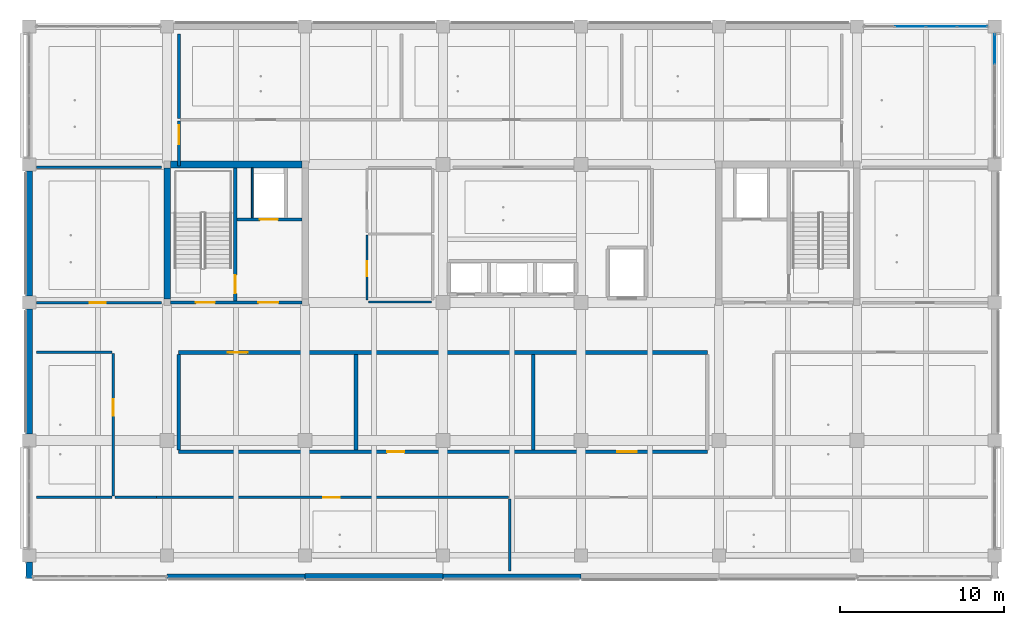
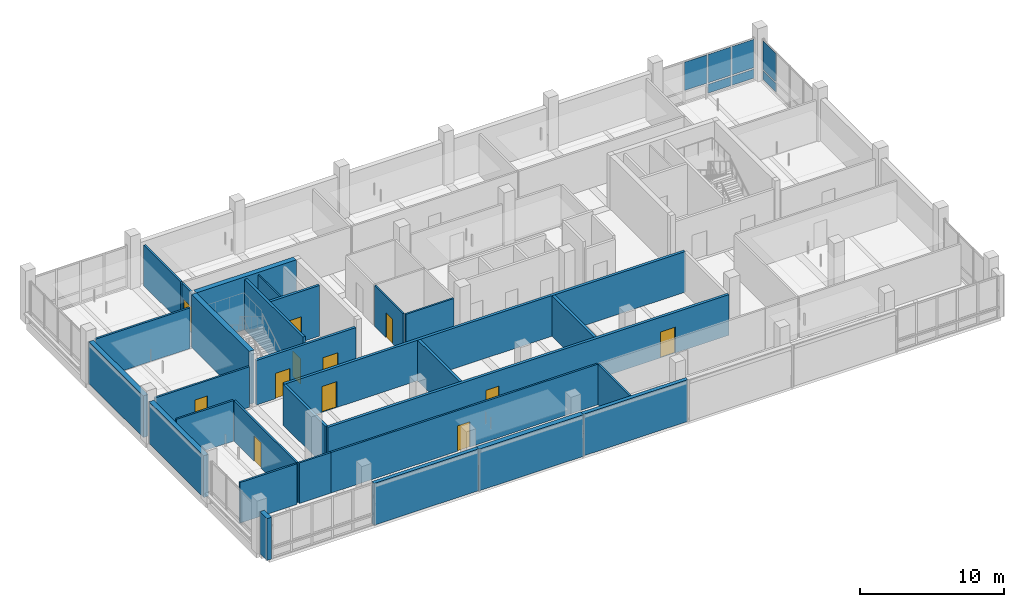
# One storey, part 11 of 35: 29 walls, 12 doors, 7 plates, 12 openings, 2 elements without a shape of their own.
"""IFC4 building model written with IfcOpenShell, lengths in metres."""

from ifc_helpers import new_model, si_unit, direction, frame, frame_2d, origin, origin_2d, place, context, subcontext, project, spatial, rectangle, extrude, material, layer, layer_set, type_object, element, fill, aggregate, save


model = new_model("IFC4")

# Units and contexts
model_context = context("Model", 3, precision=1e-05, world=origin(), true_north=direction((0.0, 1.0)))
body_context = subcontext(model_context, "Body", "Model", "MODEL_VIEW")
ifc_project = project(units=[si_unit("LENGTHUNIT", "METRE"), si_unit("AREAUNIT", "SQUARE_METRE"), si_unit("VOLUMEUNIT", "CUBIC_METRE"), si_unit("PLANEANGLEUNIT", "RADIAN"), si_unit("MASSUNIT", "GRAM", prefix="KILO")], contexts=[model_context])

# Site, building, storey
site_placement = place(None, origin())
site = spatial("IfcSite", under=ifc_project, at=site_placement, CompositionType="ELEMENT")
building_placement = place(site_placement, origin())
building = spatial("IfcBuilding", under=site, at=building_placement, Name="Telukmera Botanical Conservatory", CompositionType="ELEMENT")
storey_placement = place(building_placement, frame((0.0, 0.0, 28.5)))
storey = spatial("IfcBuildingStorey", under=building, at=storey_placement, Name="L06", CompositionType="ELEMENT", Elevation=28.5)

# Curtain wall, plates
ifc_material_1 = material(Name="Anodised aluminium 6063-T6", Category="aluminium")
ifc_layer_1 = layer(ifc_material_1, 0.179931640625)
ifc_layer_set_1 = layer_set([ifc_layer_1], Name="Anodised aluminium 6063-T6")
curtain_wall_type = type_object("IfcCurtainWallType", Name="Tower Herbarium Curation Corner Curtain Wall", PredefinedType="USERDEFINED", material=ifc_layer_set_1)
curtain_wall_1_placement = place(storey_placement, origin())
curtain_wall_1 = element("IfcCurtainWall", 1, at=curtain_wall_1_placement, inside=storey, type_object=curtain_wall_type, Name="Unitised Curtain Wall CW14 V4:L06:N7", ObjectType="UNITISED CURTAIN WALL", PredefinedType="USERDEFINED")
ifc_material_2 = material(Name="Spectrally selective low-E double glazing", Category="glass")
ifc_layer_2 = layer(ifc_material_2, 0.0380859375)
ifc_layer_set_2 = layer_set([ifc_layer_2], Name="Spectrally selective low-E double glazing")
plate_type = type_object("IfcPlateType", Name="Solar Control Fritted Spandrel Glazing Panel 38", PredefinedType="CURTAIN_PANEL", material=ifc_layer_set_2)
plate_1_placement = place(storey_placement, frame((104.050537109375, 42.800048828125, 1.01513671875), z_axis=(0.0, 0.0, 1.0), x_axis=(1.0, 0.0, 0.0)))
plate_1 = element("IfcPlate", 2, at=plate_1_placement, type_object=plate_type, Name="CW14 panel 2.2", PredefinedType="CURTAIN_PANEL", context=body_context, shape_type="SweptSolid", body=[
    extrude(rectangle(XDim=1.833984375, YDim=0.0380859375, at=origin_2d()), origin(), (0.0, 0.0, 1.0), 2.405029296875),
])
plate_2_placement = place(storey_placement, frame((105.949462890625, 42.800048828125, 0.130126953125), z_axis=(0.0, 0.0, 1.0), x_axis=(1.0, 0.0, 0.0)))
plate_2 = element("IfcPlate", 3, at=plate_2_placement, type_object=plate_type, Name="CW14 panel 3.1", PredefinedType="CURTAIN_PANEL", context=body_context, shape_type="SweptSolid", body=[
    extrude(rectangle(XDim=1.833984375, YDim=0.0380859375, at=origin_2d()), origin(), (0.0, 0.0, 1.0), 0.7548828125),
])
plate_3_placement = place(storey_placement, frame((105.949462890625, 42.800048828125, 1.01513671875), z_axis=(0.0, 0.0, 1.0), x_axis=(1.0, 0.0, 0.0)))
plate_3 = element("IfcPlate", 4, at=plate_3_placement, type_object=plate_type, Name="CW14 panel 3.2", PredefinedType="CURTAIN_PANEL", context=body_context, shape_type="SweptSolid", body=[
    extrude(rectangle(XDim=1.833984375, YDim=0.0380859375, at=origin_2d()), origin(), (0.0, 0.0, 1.0), 2.405029296875),
])
plate_4_placement = place(storey_placement, frame((107.832275390625, 42.800048828125, 0.130126953125), z_axis=(0.0, 0.0, 1.0), x_axis=(1.0, 0.0, 0.0)))
plate_4 = element("IfcPlate", 5, at=plate_4_placement, type_object=plate_type, Name="CW14 panel 4.1", PredefinedType="CURTAIN_PANEL", context=body_context, shape_type="SweptSolid", body=[
    extrude(rectangle(XDim=1.801513671875, YDim=0.0380859375, at=origin_2d()), origin(), (0.0, 0.0, 1.0), 0.7548828125),
])
plate_5_placement = place(storey_placement, frame((107.832275390625, 42.800048828125, 1.01513671875), z_axis=(0.0, 0.0, 1.0), x_axis=(1.0, 0.0, 0.0)))
plate_5 = element("IfcPlate", 6, at=plate_5_placement, type_object=plate_type, Name="CW14 panel 4.2", PredefinedType="CURTAIN_PANEL", context=body_context, shape_type="SweptSolid", body=[
    extrude(rectangle(XDim=1.801513671875, YDim=0.0380859375, at=origin_2d()), origin(), (0.0, 0.0, 1.0), 2.405029296875),
])
aggregate(curtain_wall_1, [plate_1, plate_2, plate_3, plate_4, plate_5])

curtain_wall_2_placement = place(storey_placement, origin())
curtain_wall_2 = element("IfcCurtainWall", 7, at=curtain_wall_2_placement, inside=storey, type_object=curtain_wall_type, Name="Unitised Curtain Wall CW14 V4:L06:E4", ObjectType="UNITISED CURTAIN WALL", PredefinedType="USERDEFINED")
plate_6_placement = place(storey_placement, frame((109.199951171875, 41.43212890625, 0.130126953125), z_axis=(0.0, 0.0, 1.0), x_axis=(0.0, 1.0, 0.0)))
plate_6 = element("IfcPlate", 8, at=plate_6_placement, type_object=plate_type, Name="CW14 panel 4.1", PredefinedType="CURTAIN_PANEL", context=body_context, shape_type="SweptSolid", body=[
    extrude(rectangle(XDim=1.801513671875, YDim=0.0380859375, at=origin_2d()), origin(), (0.0, 0.0, 1.0), 0.7548828125),
])
plate_7_placement = place(storey_placement, frame((109.199951171875, 41.43212890625, 1.01513671875), z_axis=(0.0, 0.0, 1.0), x_axis=(0.0, 1.0, 0.0)))
plate_7 = element("IfcPlate", 9, at=plate_7_placement, type_object=plate_type, Name="CW14 panel 4.2", PredefinedType="CURTAIN_PANEL", context=body_context, shape_type="SweptSolid", body=[
    extrude(rectangle(XDim=1.801513671875, YDim=0.0380859375, at=origin_2d()), origin(), (0.0, 0.0, 1.0), 2.405029296875),
])
aggregate(curtain_wall_2, [plate_6, plate_7])

# Walls
ifc_material_3 = material(Name="Terracotta-faced precast concrete C40/50", Category="masonry")
ifc_layer_3 = layer(ifc_material_3, 0.3798828125)
ifc_layer_set_3 = layer_set([ifc_layer_3], Name="Terracotta-faced precast concrete C40/50")
wall_type_1 = type_object("IfcWallType", Name="Exterior Herbarium Vault Insulated Precast Wall 380", PredefinedType="SOLIDWALL", material=ifc_layer_set_3)
wall_1_placement = place(storey_placement, frame((50.39990234375, 9.199951171875, 0.0), z_axis=(0.0, 0.0, 1.0), x_axis=(0.0, 1.0, 0.0)))
element("IfcWall", 10, at=wall_1_placement, inside=storey, type_object=wall_type_1, Name="Exterior Precast Wall EW04 V4:L06:SWC", PredefinedType="SOLIDWALL", context=body_context, shape_type="SweptSolid", body=[
    extrude(rectangle(XDim=0.998046875, YDim=0.3798828125, at=frame_2d((0.4990234375, 0.0))), origin(), (0.0, 0.0, 1.0), 3.550048828125),
])
wall_2_placement = place(storey_placement, frame((67.201904296875, 9.320068359375, 0.0), z_axis=(0.0, 0.0, 1.0), x_axis=(1.0, 0.0, 0.0)))
element("IfcWall", 11, at=wall_2_placement, inside=storey, type_object=wall_type_1, Name="Exterior Precast Wall EW04 V4:L06:S3", PredefinedType="SOLIDWALL", context=body_context, shape_type="SweptSolid", body=[
    extrude(rectangle(XDim=8.39599609375, YDim=0.3798828125, at=frame_2d((4.197998046875, 0.0))), origin(), (0.0, 0.0, 1.0), 3.550048828125),
])
for number, where, z_axis, x_axis, name in (
    (12, (50.39990234375, 18.001953125, 0.0), (0.0, 0.0, 1.0), (0.0, 1.0, 0.0), "Exterior Precast Wall EW04 V4:L06:W2"),
    (13, (50.39990234375, 26.402099609375, 0.0), (0.0, 0.0, 1.0), (0.0, 1.0, 0.0), "Exterior Precast Wall EW04 V4:L06:W3"),
):
    element("IfcWall", number, at=place(storey_placement, frame(where, z_axis=z_axis, x_axis=x_axis)), inside=storey, type_object=wall_type_1, Name=name, PredefinedType="SOLIDWALL", context=body_context, shape_type="SweptSolid", body=[
        extrude(rectangle(XDim=7.595947265625, YDim=0.3798828125, at=frame_2d((3.7978515625, 0.0))), origin(), (0.0, 0.0, 1.0), 3.550048828125),
    ])
ifc_layer_4 = layer(ifc_material_3, 0.300048828125)
ifc_layer_set_4 = layer_set([ifc_layer_4], Name="Terracotta-faced precast concrete C40/50")
wall_type_2 = type_object("IfcWallType", Name="Exterior Polychrome Terracotta Precast Wall 300", PredefinedType="SOLIDWALL", material=ifc_layer_set_4)
for number, where, z_axis, x_axis, name in (
    (14, (58.802001953125, 9.320068359375, 0.0), (0.0, 0.0, 1.0), (1.0, 0.0, 0.0), "Exterior Precast Wall EW02 V4:L06:S2"),
    (15, (75.60205078125, 9.320068359375, 0.0), (0.0, 0.0, 1.0), (1.0, 0.0, 0.0), "Exterior Precast Wall EW02 V4:L06:S4"),
):
    element("IfcWall", number, at=place(storey_placement, frame(where, z_axis=z_axis, x_axis=x_axis)), inside=storey, type_object=wall_type_2, Name=name, PredefinedType="SOLIDWALL", context=body_context, shape_type="SweptSolid", body=[
        extrude(rectangle(XDim=8.39599609375, YDim=0.300048828125, at=frame_2d((4.197998046875, 0.0))), origin(), (0.0, 0.0, 1.0), 3.550048828125),
    ])

# Wall, openings, doors
ifc_material_4 = material(Name="Concrete C40/50", Category="concrete")
ifc_layer_5 = layer(ifc_material_4, 0.199951171875)
ifc_layer_set_5 = layer_set([ifc_layer_5], Name="Concrete C40/50")
wall_type_3 = type_object("IfcWallType", Name="WT-CORE-200", PredefinedType="SOLIDWALL", material=ifc_layer_set_5)
wall_3_placement = place(storey_placement, frame((59.0, 26.0, 0.0), z_axis=(0.0, 0.0, 1.0), x_axis=(1.0, 0.0, 0.0)))
wall_3 = element("IfcWall", 16, at=wall_3_placement, inside=storey, type_object=wall_type_3, Name="L06 Core C1 South Fire Wall", PredefinedType="SOLIDWALL", context=body_context, shape_type="SweptSolid", body=[
    extrude(rectangle(XDim=8.0, YDim=0.199951171875, at=frame_2d((4.0, 0.0))), origin(), (0.0, 0.0, 1.0), 3.780029296875),
])
opening_1_placement = place(wall_3_placement, frame((1.550048828125, 0.0, 0.0)))
opening_1 = element("IfcOpeningElement", 17, at=opening_1_placement, cuts=wall_3, Name="Opening FD60A", PredefinedType="OPENING", context=body_context, shape_type="SweptSolid", body=[
    extrude(rectangle(XDim=1.14990234375, YDim=2.14990234375, at=frame_2d((0.574951171875, 1.074951171875))), frame((0.0, 0.10986328125, 0.0), z_axis=(0.0, -1.0, 0.0), x_axis=(1.0, 0.0, 0.0)), (0.0, 0.0, 1.0), 0.219970703125),
])
opening_2_placement = place(wall_3_placement, frame((5.35009765625, 0.0, 0.0)))
opening_2 = element("IfcOpeningElement", 18, at=opening_2_placement, cuts=wall_3, Name="Opening FD60C", PredefinedType="OPENING", context=body_context, shape_type="SweptSolid", body=[
    extrude(rectangle(XDim=1.219970703125, YDim=2.14990234375, at=frame_2d((0.60986328125, 1.074951171875))), frame((0.0, 0.10986328125, 0.0), z_axis=(0.0, -1.0, 0.0), x_axis=(1.0, 0.0, 0.0)), (0.0, 0.0, 1.0), 0.219970703125),
])
ifc_material_5 = material(Name="Hardwood fire door", Category="wood")
door_type_1 = type_object("IfcDoorType", Name="DT-FD60-01", OperationType="NOTDEFINED", PredefinedType="DOOR", material=ifc_material_5)
door_1_placement = place(opening_1_placement, origin())
door_1 = element("IfcDoor", 19, at=door_1_placement, inside=storey, type_object=door_type_1, Name="L06 Stair ST1 Escape Door", OperationType="SINGLE_SWING_LEFT", OverallHeight=2.14990234375, OverallWidth=1.14990234375, PredefinedType="DOOR", context=body_context, shape_type="SweptSolid", body=[
    extrude(rectangle(XDim=1.14990234375, YDim=2.14990234375, at=frame_2d((0.574951171875, 1.074951171875))), frame((0.0, 0.02490234375, 0.0), z_axis=(0.0, -1.0, 0.0), x_axis=(1.0, 0.0, 0.0)), (0.0, 0.0, 1.0), 0.050048828125),
])
fill(opening_1, door_1)
door_type_2 = type_object("IfcDoorType", Name="DT-FD60-03", OperationType="NOTDEFINED", PredefinedType="DOOR", material=ifc_material_5)
door_2_placement = place(opening_2_placement, origin())
door_2 = element("IfcDoor", 20, at=door_2_placement, inside=storey, type_object=door_type_2, Name="L06 Firefighting Lobby C1 Door", OperationType="SINGLE_SWING_RIGHT", OverallHeight=2.14990234375, OverallWidth=1.219970703125, PredefinedType="DOOR", context=body_context, shape_type="SweptSolid", body=[
    extrude(rectangle(XDim=1.219970703125, YDim=2.14990234375, at=frame_2d((0.60986328125, 1.074951171875))), frame((0.0, 0.02490234375, 0.0), z_axis=(0.0, -1.0, 0.0), x_axis=(1.0, 0.0, 0.0)), (0.0, 0.0, 1.0), 0.050048828125),
])
fill(opening_2, door_2)

# Wall, opening, door
wall_4_placement = place(storey_placement, frame((62.949951171875, 26.10009765625, 0.0), z_axis=(0.0, 0.0, 1.0), x_axis=(0.0, 1.0, 0.0)))
wall_4 = element("IfcWall", 21, at=wall_4_placement, inside=storey, type_object=wall_type_3, Name="L06 Core C1 Stair-Lobby Wall", PredefinedType="SOLIDWALL", context=body_context, shape_type="SweptSolid", body=[
    extrude(rectangle(XDim=8.099853515625, YDim=0.199951171875, at=frame_2d((4.0498046875, 0.0))), origin(), (0.0, 0.0, 1.0), 4.300048828125),
])
opening_3_placement = place(wall_4_placement, frame((0.449951171875, 0.0, 0.0)))
opening_3 = element("IfcOpeningElement", 22, at=opening_3_placement, cuts=wall_4, Name="Opening FD60B", PredefinedType="OPENING", context=body_context, shape_type="SweptSolid", body=[
    extrude(rectangle(XDim=1.1201171875, YDim=2.14990234375, at=frame_2d((0.56005859375, 1.074951171875))), frame((0.0, 0.10986328125, 0.0), z_axis=(0.0, -1.0, 0.0), x_axis=(1.0, 0.0, 0.0)), (0.0, 0.0, 1.0), 0.219970703125),
])
door_type_3 = type_object("IfcDoorType", Name="DT-FD60-02", OperationType="NOTDEFINED", PredefinedType="DOOR", material=ifc_material_5)
door_3_placement = place(opening_3_placement, origin())
door_3 = element("IfcDoor", 23, at=door_3_placement, inside=storey, type_object=door_type_3, Name="L06 Firefighting Lobby C1 to ST1 Door", OperationType="SINGLE_SWING_LEFT", OverallHeight=2.14990234375, OverallWidth=1.1201171875, PredefinedType="DOOR", context=body_context, shape_type="SweptSolid", body=[
    extrude(rectangle(XDim=1.1201171875, YDim=2.14990234375, at=frame_2d((0.56005859375, 1.074951171875))), frame((0.0, 0.02490234375, 0.0), z_axis=(0.0, -1.0, 0.0), x_axis=(1.0, 0.0, 0.0)), (0.0, 0.0, 1.0), 0.050048828125),
])
fill(opening_3, door_3)

wall_5_placement = place(storey_placement, frame((63.050048828125, 31.050048828125, 0.0), z_axis=(0.0, 0.0, 1.0), x_axis=(1.0, 0.0, 0.0)))
wall_5 = element("IfcWall", 24, at=wall_5_placement, inside=storey, type_object=wall_type_3, Name="L06 Fire Lift FL1 Shaft Front Wall", PredefinedType="SOLIDWALL", context=body_context, shape_type="SweptSolid", body=[
    extrude(rectangle(XDim=3.949951171875, YDim=0.199951171875, at=frame_2d((1.97509765625, 0.0))), origin(), (0.0, 0.0, 1.0), 4.300048828125),
])
opening_4_placement = place(wall_5_placement, frame((1.39990234375, 0.0, 0.0)))
opening_4 = element("IfcOpeningElement", 25, at=opening_4_placement, cuts=wall_5, Name="Opening LD01", PredefinedType="OPENING", context=body_context, shape_type="SweptSolid", body=[
    extrude(rectangle(XDim=1.10009765625, YDim=2.14990234375, at=frame_2d((0.550048828125, 1.074951171875))), frame((0.0, 0.10986328125, 0.0), z_axis=(0.0, -1.0, 0.0), x_axis=(1.0, 0.0, 0.0)), (0.0, 0.0, 1.0), 0.219970703125),
])
ifc_material_6 = material(Name="Stainless steel 316", Category="steel")
door_type_4 = type_object("IfcDoorType", Name="DT-LD01", OperationType="SLIDING_TO_LEFT", PredefinedType="DOOR", material=ifc_material_6)
door_4_placement = place(opening_4_placement, frame((1.10009765625, 0.0, 0.0), z_axis=(0.0, 0.0, 1.0), x_axis=(-1.0, 0.0, 0.0)))
door_4 = element("IfcDoor", 26, at=door_4_placement, inside=storey, type_object=door_type_4, Name="L06 Lift Landing Door FL1", OperationType="SLIDING_TO_LEFT", OverallHeight=2.14990234375, OverallWidth=1.10009765625, PredefinedType="DOOR", context=body_context, shape_type="SweptSolid", body=[
    extrude(rectangle(XDim=1.10009765625, YDim=2.14990234375, at=frame_2d((0.550048828125, 1.074951171875))), frame((0.0, 0.02490234375, 0.0), z_axis=(0.0, -1.0, 0.0), x_axis=(1.0, 0.0, 0.0)), (0.0, 0.0, 1.0), 0.050048828125),
])
fill(opening_4, door_4)

# Wall
ifc_material_7 = material(Name="Gypsum acoustic stud partition")
ifc_layer_6 = layer(ifc_material_7, 0.159912109375)
ifc_layer_set_6 = layer_set([ifc_layer_6], Name="Gypsum acoustic stud partition")
wall_type_4 = type_object("IfcWallType", Name="WT-LAB-160", PredefinedType="PARTITIONING", material=ifc_layer_set_6)
wall_6_placement = place(storey_placement, frame((50.85009765625, 34.22509765625, 0.0), z_axis=(0.0, 0.0, 1.0), x_axis=(1.0, 0.0, 0.0)))
element("IfcWall", 27, at=wall_6_placement, inside=storey, type_object=wall_type_4, Name="L06 Interior Partition 10", PredefinedType="PARTITIONING", context=body_context, shape_type="SweptSolid", body=[
    extrude(rectangle(XDim=7.599853515625, YDim=0.159912109375, at=frame_2d((3.7998046875, 0.0))), origin(), (0.0, 0.0, 1.0), 3.449951171875),
])

# Wall, opening, door
wall_7_placement = place(storey_placement, frame((59.52490234375, 34.300048828125, 0.0), z_axis=(0.0, 0.0, 1.0), x_axis=(0.0, 1.0, 0.0)))
wall_7 = element("IfcWall", 28, at=wall_7_placement, inside=storey, type_object=wall_type_4, Name="L06 Interior Partition 24", PredefinedType="PARTITIONING", context=body_context, shape_type="SweptSolid", body=[
    extrude(rectangle(XDim=2.75, YDim=0.159912109375, at=frame_2d((1.375, 0.0))), origin(), (0.0, 0.0, 1.0), 3.449951171875),
])
opening_5_placement = place(wall_7_placement, frame((1.340087890625, 0.0, 0.0)))
opening_5 = element("IfcOpeningElement", 29, at=opening_5_placement, cuts=wall_7, Name="Opening ID09", PredefinedType="OPENING", context=body_context, shape_type="SweptSolid", body=[
    extrude(rectangle(XDim=1.159912109375, YDim=2.199951171875, at=frame_2d((0.580078125, 1.10009765625))), frame((0.0, 0.08984375, 0.0), z_axis=(0.0, -1.0, 0.0), x_axis=(1.0, 0.0, 0.0)), (0.0, 0.0, 1.0), 0.179931640625),
])
ifc_material_8 = material(Name="Phenolic faced laboratory fire door")
door_type_5 = type_object("IfcDoorType", Name="DT-LAB-116", OperationType="NOTDEFINED", PredefinedType="DOOR", material=ifc_material_8)
door_5_placement = place(opening_5_placement, origin())
door_5 = element("IfcDoor", 30, at=door_5_placement, inside=storey, type_object=door_type_5, Name="L06 Tropical Timber Anatomy Laboratory Door", OperationType="SINGLE_SWING_RIGHT", OverallHeight=2.199951171875, OverallWidth=1.159912109375, PredefinedType="DOOR", context=body_context, shape_type="SweptSolid", body=[
    extrude(rectangle(XDim=1.159912109375, YDim=2.199951171875, at=frame_2d((0.580078125, 1.10009765625))), frame((0.0, 0.02490234375, 0.0), z_axis=(0.0, -1.0, 0.0), x_axis=(1.0, 0.0, 0.0)), (0.0, 0.0, 1.0), 0.050048828125),
])
fill(opening_5, door_5)

# Walls
wall_8_placement = place(storey_placement, frame((59.52490234375, 37.199951171875, 0.0), z_axis=(0.0, 0.0, 1.0), x_axis=(0.0, 1.0, 0.0)))
element("IfcWall", 31, at=wall_8_placement, inside=storey, type_object=wall_type_4, Name="L06 Interior Partition 29", PredefinedType="PARTITIONING", context=body_context, shape_type="SweptSolid", body=[
    extrude(rectangle(XDim=5.150146484375, YDim=0.159912109375, at=frame_2d((2.5751953125, 0.0))), origin(), (0.0, 0.0, 1.0), 3.449951171875),
])
ifc_material_9 = material(Name="Gypsum shaftwall liner")
ifc_layer_7 = layer(ifc_material_9, 0.110107421875)
ifc_layer_set_7 = layer_set([ifc_layer_7], Name="Gypsum shaftwall liner")
wall_type_5 = type_object("IfcWallType", Name="WT-RISER-110", PredefinedType="PARTITIONING", material=ifc_layer_set_7)
wall_9_placement = place(storey_placement, frame((63.97998046875, 31.14990234375, 0.0), z_axis=(0.0, 0.0, 1.0), x_axis=(0.0, 1.0, 0.0)))
element("IfcWall", 32, at=wall_9_placement, inside=storey, type_object=wall_type_5, Name="L06 Wet Riser C1 Shaft Wall", PredefinedType="PARTITIONING", context=body_context, shape_type="SweptSolid", body=[
    extrude(rectangle(XDim=3.050048828125, YDim=0.110107421875, at=frame_2d((1.52490234375, 0.0))), origin(), (0.0, 0.0, 1.0), 4.300048828125),
])

# Wall, opening, door
ifc_layer_8 = layer(ifc_material_7, 0.14990234375)
ifc_layer_set_8 = layer_set([ifc_layer_8], Name="Gypsum acoustic stud partition")
wall_type_6 = type_object("IfcWallType", Name="WT-STD-150", PredefinedType="PARTITIONING", material=ifc_layer_set_8)
wall_10_placement = place(storey_placement, frame((50.85009765625, 25.97509765625, 0.0), z_axis=(0.0, 0.0, 1.0), x_axis=(1.0, 0.0, 0.0)))
wall_10 = element("IfcWall", 33, at=wall_10_placement, inside=storey, type_object=wall_type_6, Name="L06 Interior Partition 09", PredefinedType="PARTITIONING", context=body_context, shape_type="SweptSolid", body=[
    extrude(rectangle(XDim=7.599853515625, YDim=0.14990234375, at=frame_2d((3.7998046875, 0.0))), origin(), (0.0, 0.0, 1.0), 3.449951171875),
])
opening_6_placement = place(wall_10_placement, frame((3.2255859375, 0.0, 0.0)))
opening_6 = element("IfcOpeningElement", 34, at=opening_6_placement, cuts=wall_10, Name="Opening ID14", PredefinedType="OPENING", context=body_context, shape_type="SweptSolid", body=[
    extrude(rectangle(XDim=1.0, YDim=2.14990234375, at=frame_2d((0.5, 1.074951171875))), frame((0.0, 0.0849609375, 0.0), z_axis=(0.0, -1.0, 0.0), x_axis=(1.0, 0.0, 0.0)), (0.0, 0.0, 1.0), 0.169921875),
])
ifc_material_10 = material(Name="Acoustic timber office door", Category="wood")
door_type_6 = type_object("IfcDoorType", Name="DT-WRT-100", OperationType="NOTDEFINED", PredefinedType="DOOR", material=ifc_material_10)
door_6_placement = place(opening_6_placement, origin())
door_6 = element("IfcDoor", 35, at=door_6_placement, inside=storey, type_object=door_type_6, Name="L06 Dipterocarp Curation Studio Door", OperationType="SINGLE_SWING_RIGHT", OverallHeight=2.14990234375, OverallWidth=1.0, PredefinedType="DOOR", context=body_context, shape_type="SweptSolid", body=[
    extrude(rectangle(XDim=1.0, YDim=2.14990234375, at=frame_2d((0.5, 1.074951171875))), frame((0.0, 0.02490234375, 0.0), z_axis=(0.0, -1.0, 0.0), x_axis=(1.0, 0.0, 0.0)), (0.0, 0.0, 1.0), 0.050048828125),
])
fill(opening_6, door_6)

# Wall
wall_11_placement = place(storey_placement, frame((50.85009765625, 22.97509765625, 0.0), z_axis=(0.0, 0.0, 1.0), x_axis=(1.0, 0.0, 0.0)))
element("IfcWall", 36, at=wall_11_placement, inside=storey, type_object=wall_type_6, Name="L06 Interior Partition 13", PredefinedType="PARTITIONING", context=body_context, shape_type="SweptSolid", body=[
    extrude(rectangle(XDim=4.599853515625, YDim=0.14990234375, at=frame_2d((2.2998046875, 0.0))), origin(), (0.0, 0.0, 1.0), 3.449951171875),
])

# Wall, opening, door
wall_12_placement = place(storey_placement, frame((55.52490234375, 14.199951171875, 0.0), z_axis=(0.0, 0.0, 1.0), x_axis=(0.0, 1.0, 0.0)))
wall_12 = element("IfcWall", 37, at=wall_12_placement, inside=storey, type_object=wall_type_6, Name="L06 Interior Partition 15", PredefinedType="PARTITIONING", context=body_context, shape_type="SweptSolid", body=[
    extrude(rectangle(XDim=8.68994140625, YDim=0.14990234375, at=frame_2d((4.344970703125, 0.0))), origin(), (0.0, 0.0, 1.0), 3.449951171875),
])
opening_7_placement = place(wall_12_placement, frame((4.8935546875, 0.0, 0.0)))
opening_7 = element("IfcOpeningElement", 38, at=opening_7_placement, cuts=wall_12, Name="Opening ID14", PredefinedType="OPENING", context=body_context, shape_type="SweptSolid", body=[
    extrude(rectangle(XDim=1.0, YDim=2.14990234375, at=frame_2d((0.5, 1.074951171875))), frame((0.0, 0.0849609375, 0.0), z_axis=(0.0, -1.0, 0.0), x_axis=(1.0, 0.0, 0.0)), (0.0, 0.0, 1.0), 0.169921875),
])
door_7_placement = place(opening_7_placement, origin())
door_7 = element("IfcDoor", 39, at=door_7_placement, inside=storey, type_object=door_type_6, Name="L06 West Herbarium Curation Studio Door", OperationType="SINGLE_SWING_RIGHT", OverallHeight=2.14990234375, OverallWidth=1.0, PredefinedType="DOOR", context=body_context, shape_type="SweptSolid", body=[
    extrude(rectangle(XDim=1.0, YDim=2.14990234375, at=frame_2d((0.5, 1.074951171875))), frame((0.0, 0.02490234375, 0.0), z_axis=(0.0, -1.0, 0.0), x_axis=(1.0, 0.0, 0.0)), (0.0, 0.0, 1.0), 0.050048828125),
])
fill(opening_7, door_7)

# Wall
wall_13_placement = place(storey_placement, frame((55.610107421875, 14.125, 0.0), z_axis=(0.0, 0.0, 1.0), x_axis=(1.0, 0.0, 0.0)))
element("IfcWall", 40, at=wall_13_placement, inside=storey, type_object=wall_type_6, Name="L06 Interior Partition 16", PredefinedType="PARTITIONING", context=body_context, shape_type="SweptSolid", body=[
    extrude(rectangle(XDim=2.539794921875, YDim=0.14990234375, at=frame_2d((1.27001953125, 0.0))), origin(), (0.0, 0.0, 1.0), 3.449951171875),
])

# Wall, opening, door
wall_14_placement = place(storey_placement, frame((58.159912109375, 14.125, 0.0), z_axis=(0.0, 0.0, 1.0), x_axis=(1.0, 0.0, 0.0)))
wall_14 = element("IfcWall", 41, at=wall_14_placement, inside=storey, type_object=wall_type_6, Name="L06 Interior Partition 19", PredefinedType="PARTITIONING", context=body_context, shape_type="SweptSolid", body=[
    extrude(rectangle(XDim=21.440185546875, YDim=0.14990234375, at=frame_2d((10.72021484375, 0.0))), origin(), (0.0, 0.0, 1.0), 3.449951171875),
])
opening_8_placement = place(wall_14_placement, frame((10.14501953125, 0.0, 0.0)))
opening_8 = element("IfcOpeningElement", 42, at=opening_8_placement, cuts=wall_14, Name="Opening ID14", PredefinedType="OPENING", context=body_context, shape_type="SweptSolid", body=[
    extrude(rectangle(XDim=1.0, YDim=2.14990234375, at=frame_2d((0.5, 1.074951171875))), frame((0.0, 0.0849609375, 0.0), z_axis=(0.0, -1.0, 0.0), x_axis=(1.0, 0.0, 0.0)), (0.0, 0.0, 1.0), 0.169921875),
])
door_8_placement = place(opening_8_placement, frame((1.0, 0.0, 0.0), z_axis=(0.0, 0.0, 1.0), x_axis=(-1.0, 0.0, 0.0)))
door_8 = element("IfcDoor", 43, at=door_8_placement, inside=storey, type_object=door_type_6, Name="L06 Ethnobotany Curation Studio Door", OperationType="SINGLE_SWING_RIGHT", OverallHeight=2.14990234375, OverallWidth=1.0, PredefinedType="DOOR", context=body_context, shape_type="SweptSolid", body=[
    extrude(rectangle(XDim=1.0, YDim=2.14990234375, at=frame_2d((0.5, 1.074951171875))), frame((0.0, 0.02490234375, 0.0), z_axis=(0.0, -1.0, 0.0), x_axis=(1.0, 0.0, 0.0)), (0.0, 0.0, 1.0), 0.050048828125),
])
fill(opening_8, door_8)

# Walls
wall_15_placement = place(storey_placement, frame((50.85009765625, 14.125, 0.0), z_axis=(0.0, 0.0, 1.0), x_axis=(1.0, 0.0, 0.0)))
element("IfcWall", 44, at=wall_15_placement, inside=storey, type_object=wall_type_6, Name="L06 Interior Partition 21", PredefinedType="PARTITIONING", context=body_context, shape_type="SweptSolid", body=[
    extrude(rectangle(XDim=4.58984375, YDim=0.14990234375, at=frame_2d((2.294921875, 0.0))), origin(), (0.0, 0.0, 1.0), 3.449951171875),
])
wall_16_placement = place(storey_placement, frame((79.675048828125, 9.64990234375, 0.0), z_axis=(0.0, 0.0, 1.0), x_axis=(0.0, 1.0, 0.0)))
element("IfcWall", 45, at=wall_16_placement, inside=storey, type_object=wall_type_6, Name="L06 Interior Partition 23", PredefinedType="PARTITIONING", context=body_context, shape_type="SweptSolid", body=[
    extrude(rectangle(XDim=4.39013671875, YDim=0.14990234375, at=frame_2d((2.195068359375, 0.0))), origin(), (0.0, 0.0, 1.0), 3.449951171875),
])

# Wall, opening, door
ifc_layer_9 = layer(ifc_material_4, 0.219970703125)
ifc_layer_set_9 = layer_set([ifc_layer_9], Name="Concrete C40/50")
wall_type_7 = type_object("IfcWallType", Name="WT-VAULT-220", PredefinedType="SOLIDWALL", material=ifc_layer_set_9)
wall_17_placement = place(storey_placement, frame((59.5, 22.949951171875, 0.0), z_axis=(0.0, 0.0, 1.0), x_axis=(1.0, 0.0, 0.0)))
wall_17 = element("IfcWall", 46, at=wall_17_placement, inside=storey, type_object=wall_type_7, Name="L06 Herbarium Vault North 2hr Wall", PredefinedType="SOLIDWALL", context=body_context, shape_type="SweptSolid", body=[
    extrude(rectangle(XDim=32.199951171875, YDim=0.219970703125, at=frame_2d((16.10009765625, 0.0))), origin(), (0.0, 0.0, 1.0), 3.449951171875),
])
opening_9_placement = place(wall_17_placement, frame((3.0, 0.0, 0.0)))
opening_9 = element("IfcOpeningElement", 47, at=opening_9_placement, cuts=wall_17, Name="Opening FD120A", PredefinedType="OPENING", context=body_context, shape_type="SweptSolid", body=[
    extrude(rectangle(XDim=1.199951171875, YDim=2.199951171875, at=frame_2d((0.60009765625, 1.10009765625))), frame((0.0, 0.119873046875, 0.0), z_axis=(0.0, -1.0, 0.0), x_axis=(1.0, 0.0, 0.0)), (0.0, 0.0, 1.0), 0.239990234375),
])
ifc_material_11 = material(Name="Galvanised steel fire door", Category="steel")
door_type_7 = type_object("IfcDoorType", Name="DT-FD120-01", OperationType="NOTDEFINED", PredefinedType="DOOR", material=ifc_material_11)
door_9_placement = place(opening_9_placement, origin())
door_9 = element("IfcDoor", 48, at=door_9_placement, inside=storey, type_object=door_type_7, Name="L06 Herbarium Vault FD120S Door", OperationType="SINGLE_SWING_LEFT", OverallHeight=2.199951171875, OverallWidth=1.199951171875, PredefinedType="DOOR", context=body_context, shape_type="SweptSolid", body=[
    extrude(rectangle(XDim=1.199951171875, YDim=2.199951171875, at=frame_2d((0.60009765625, 1.10009765625))), frame((0.0, 0.02490234375, 0.0), z_axis=(0.0, -1.0, 0.0), x_axis=(1.0, 0.0, 0.0)), (0.0, 0.0, 1.0), 0.050048828125),
])
fill(opening_9, door_9)

# Wall, openings, doors
wall_18_placement = place(storey_placement, frame((59.5, 16.89990234375, 0.0), z_axis=(0.0, 0.0, 1.0), x_axis=(1.0, 0.0, 0.0)))
wall_18 = element("IfcWall", 49, at=wall_18_placement, inside=storey, type_object=wall_type_7, Name="L06 Herbarium Vault South 2hr Wall", PredefinedType="SOLIDWALL", context=body_context, shape_type="SweptSolid", body=[
    extrude(rectangle(XDim=32.199951171875, YDim=0.219970703125, at=frame_2d((16.10009765625, 0.0))), origin(), (0.0, 0.0, 1.0), 3.449951171875),
])
opening_10_placement = place(wall_18_placement, frame((12.699951171875, 0.0, 0.0)))
opening_10 = element("IfcOpeningElement", 50, at=opening_10_placement, cuts=wall_18, Name="Opening FD120B", PredefinedType="OPENING", context=body_context, shape_type="SweptSolid", body=[
    extrude(rectangle(XDim=1.050048828125, YDim=2.14990234375, at=frame_2d((0.52490234375, 1.074951171875))), frame((0.0, 0.119873046875, 0.0), z_axis=(0.0, -1.0, 0.0), x_axis=(1.0, 0.0, 0.0)), (0.0, 0.0, 1.0), 0.239990234375),
])
opening_11_placement = place(wall_18_placement, frame((26.699951171875, 0.0, 0.0)))
opening_11 = element("IfcOpeningElement", 51, at=opening_11_placement, cuts=wall_18, Name="Opening FD120A", PredefinedType="OPENING", context=body_context, shape_type="SweptSolid", body=[
    extrude(rectangle(XDim=1.199951171875, YDim=2.199951171875, at=frame_2d((0.60009765625, 1.10009765625))), frame((0.0, 0.119873046875, 0.0), z_axis=(0.0, -1.0, 0.0), x_axis=(1.0, 0.0, 0.0)), (0.0, 0.0, 1.0), 0.239990234375),
])
door_10_placement = place(opening_11_placement, frame((1.199951171875, 0.0, 0.0), z_axis=(0.0, 0.0, 1.0), x_axis=(-1.0, 0.0, 0.0)))
door_10 = element("IfcDoor", 52, at=door_10_placement, inside=storey, type_object=door_type_7, Name="L06 Spirit Collection Vault FD120S Door", OperationType="SINGLE_SWING_LEFT", OverallHeight=2.199951171875, OverallWidth=1.199951171875, PredefinedType="DOOR", context=body_context, shape_type="SweptSolid", body=[
    extrude(rectangle(XDim=1.199951171875, YDim=2.199951171875, at=frame_2d((0.60009765625, 1.10009765625))), frame((0.0, 0.02490234375, 0.0), z_axis=(0.0, -1.0, 0.0), x_axis=(1.0, 0.0, 0.0)), (0.0, 0.0, 1.0), 0.050048828125),
])
fill(opening_11, door_10)
door_type_8 = type_object("IfcDoorType", Name="DT-FD120-02", OperationType="NOTDEFINED", PredefinedType="DOOR", material=ifc_material_11)
door_11_placement = place(opening_10_placement, frame((1.050048828125, 0.0, 0.0), z_axis=(0.0, 0.0, 1.0), x_axis=(-1.0, 0.0, 0.0)))
door_11 = element("IfcDoor", 53, at=door_11_placement, inside=storey, type_object=door_type_8, Name="L06 Carpological Vault FD120S Door", OperationType="SINGLE_SWING_RIGHT", OverallHeight=2.14990234375, OverallWidth=1.050048828125, PredefinedType="DOOR", context=body_context, shape_type="SweptSolid", body=[
    extrude(rectangle(XDim=1.050048828125, YDim=2.14990234375, at=frame_2d((0.52490234375, 1.074951171875))), frame((0.0, 0.02490234375, 0.0), z_axis=(0.0, -1.0, 0.0), x_axis=(1.0, 0.0, 0.0)), (0.0, 0.0, 1.0), 0.050048828125),
])
fill(opening_10, door_11)

# Walls
for number, where, z_axis, x_axis, name in (
    (54, (59.5, 17.010009765625, 0.0), (0.0, 0.0, 1.0), (0.0, 1.0, 0.0), "L06 Herbarium Vault West 2hr Wall"),
    (55, (70.300048828125, 17.010009765625, 0.0), (0.0, 0.0, 1.0), (0.0, 1.0, 0.0), "L06 Herbarium Vault Divider 1"),
    (56, (81.10009765625, 17.010009765625, 0.0), (0.0, 0.0, 1.0), (0.0, 1.0, 0.0), "L06 Herbarium Vault Divider 2"),
):
    element("IfcWall", number, at=place(storey_placement, frame(where, z_axis=z_axis, x_axis=x_axis)), inside=storey, type_object=wall_type_7, Name=name, PredefinedType="SOLIDWALL", context=body_context, shape_type="SweptSolid", body=[
        extrude(rectangle(XDim=5.830078125, YDim=0.219970703125, at=frame_2d((2.9150390625, 0.0))), origin(), (0.0, 0.0, 1.0), 3.449951171875),
    ])

# Wall, opening, door
ifc_material_12 = material(Name="Moisture-resistant blockwork", Category="masonry")
ifc_layer_10 = layer(ifc_material_12, 0.135009765625)
ifc_layer_set_10 = layer_set([ifc_layer_10], Name="Moisture-resistant blockwork")
wall_type_8 = type_object("IfcWallType", Name="WT-WC-135", PredefinedType="PARTITIONING", material=ifc_layer_set_10)
wall_19_placement = place(storey_placement, frame((70.97509765625, 26.14990234375, 0.0), z_axis=(0.0, 0.0, 1.0), x_axis=(0.0, 1.0, 0.0)))
wall_19 = element("IfcWall", 57, at=wall_19_placement, inside=storey, type_object=wall_type_8, Name="L06 Interior Partition 01", PredefinedType="PARTITIONING", context=body_context, shape_type="SweptSolid", body=[
    extrude(rectangle(XDim=3.9501953125, YDim=0.135009765625, at=frame_2d((1.97509765625, 0.0))), origin(), (0.0, 0.0, 1.0), 3.449951171875),
])
opening_12_placement = place(wall_19_placement, frame((1.440673828125, 0.0, 0.0)))
opening_12 = element("IfcOpeningElement", 58, at=opening_12_placement, cuts=wall_19, Name="Opening ID17", PredefinedType="OPENING", context=body_context, shape_type="SweptSolid", body=[
    extrude(rectangle(XDim=0.919921875, YDim=2.1201171875, at=frame_2d((0.4599609375, 1.06005859375))), frame((0.0, 0.077392578125, 0.0), z_axis=(0.0, -1.0, 0.0), x_axis=(1.0, 0.0, 0.0)), (0.0, 0.0, 1.0), 0.155029296875),
])
ifc_material_13 = material(Name="Moisture-resistant laminate WC door")
door_type_9 = type_object("IfcDoorType", Name="DT-WC-092", OperationType="NOTDEFINED", PredefinedType="DOOR", material=ifc_material_13)
door_12_placement = place(opening_12_placement, origin())
door_12 = element("IfcDoor", 59, at=door_12_placement, inside=storey, type_object=door_type_9, Name="L06 Public WC Door", OperationType="SINGLE_SWING_LEFT", OverallHeight=2.1201171875, OverallWidth=0.919921875, PredefinedType="DOOR", context=body_context, shape_type="SweptSolid", body=[
    extrude(rectangle(XDim=0.919921875, YDim=2.1201171875, at=frame_2d((0.4599609375, 1.06005859375))), frame((0.0, 0.02490234375, 0.0), z_axis=(0.0, -1.0, 0.0), x_axis=(1.0, 0.0, 0.0)), (0.0, 0.0, 1.0), 0.050048828125),
])
fill(opening_12, door_12)

# Walls
wall_20_placement = place(storey_placement, frame((71.050048828125, 26.02490234375, 0.0), z_axis=(0.0, 0.0, 1.0), x_axis=(1.0, 0.0, 0.0)))
element("IfcWall", 60, at=wall_20_placement, inside=storey, type_object=wall_type_8, Name="L06 Interior Partition 04", PredefinedType="PARTITIONING", context=body_context, shape_type="SweptSolid", body=[
    extrude(rectangle(XDim=3.849853515625, YDim=0.135009765625, at=frame_2d((1.9248046875, 0.0))), origin(), (0.0, 0.0, 1.0), 3.449951171875),
])
ifc_material_14 = material(Name="Concrete C50/60", Category="concrete")
ifc_layer_11 = layer(ifc_material_14, 0.39990234375)
ifc_layer_set_11 = layer_set([ifc_layer_11], Name="Concrete C50/60")
wall_type_9 = type_object("IfcWallType", Name="Wall_CW1", PredefinedType="SHEAR", material=ifc_layer_set_11)
for number, where, z_axis, x_axis, name in (
    (61, (58.800048828125, 26.199951171875, 0.0), (0.0, 0.0, 1.0), (0.0, 1.0, 0.0), "Core C1 Shear Wall West L06"),
    (62, (59.0, 34.39990234375, 0.0), (0.0, 0.0, 1.0), (1.0, 0.0, 0.0), "Core C1 Shear Wall North L06"),
):
    element("IfcWall", number, at=place(storey_placement, frame(where, z_axis=z_axis, x_axis=x_axis)), inside=storey, type_object=wall_type_9, Name=name, PredefinedType="SHEAR", context=body_context, shape_type="SweptSolid", body=[
        extrude(rectangle(XDim=8.0, YDim=0.39990234375, at=frame_2d((4.0, 0.0))), origin(), (0.0, 0.0, 1.0), 4.5),
    ])

save(model, "model.ifc")
